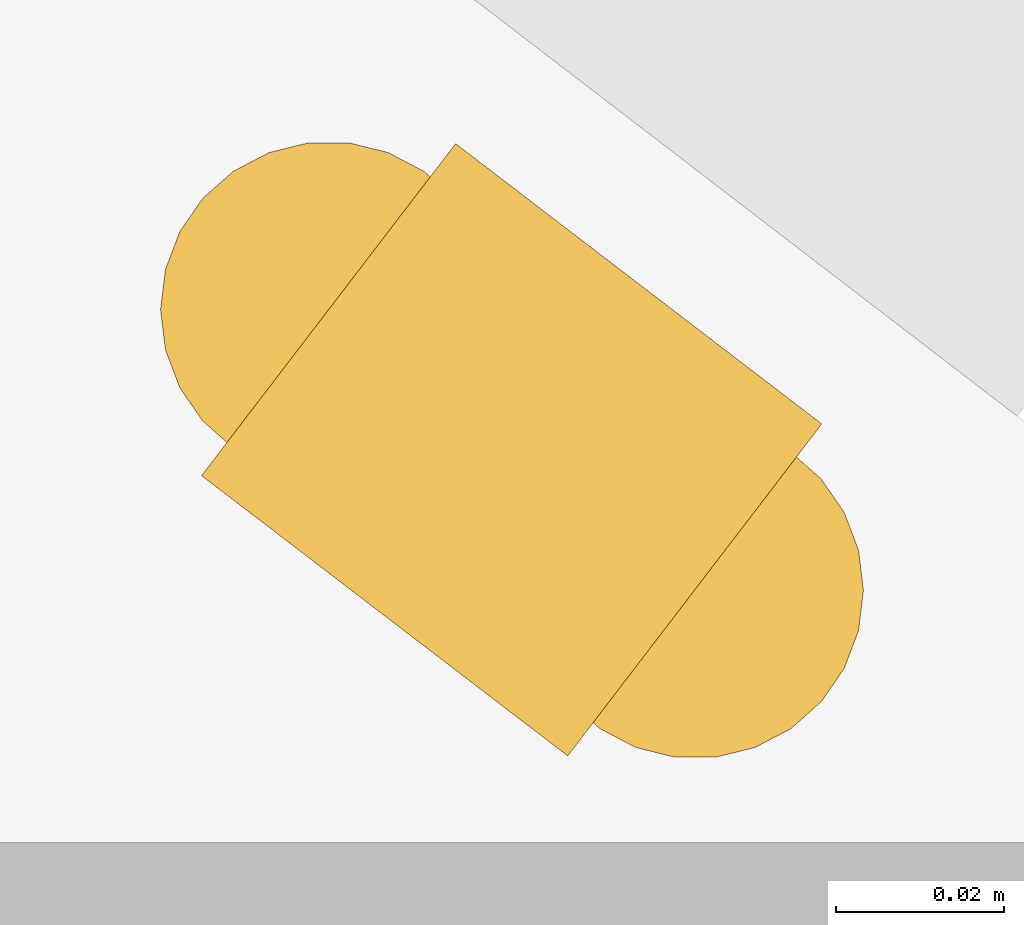
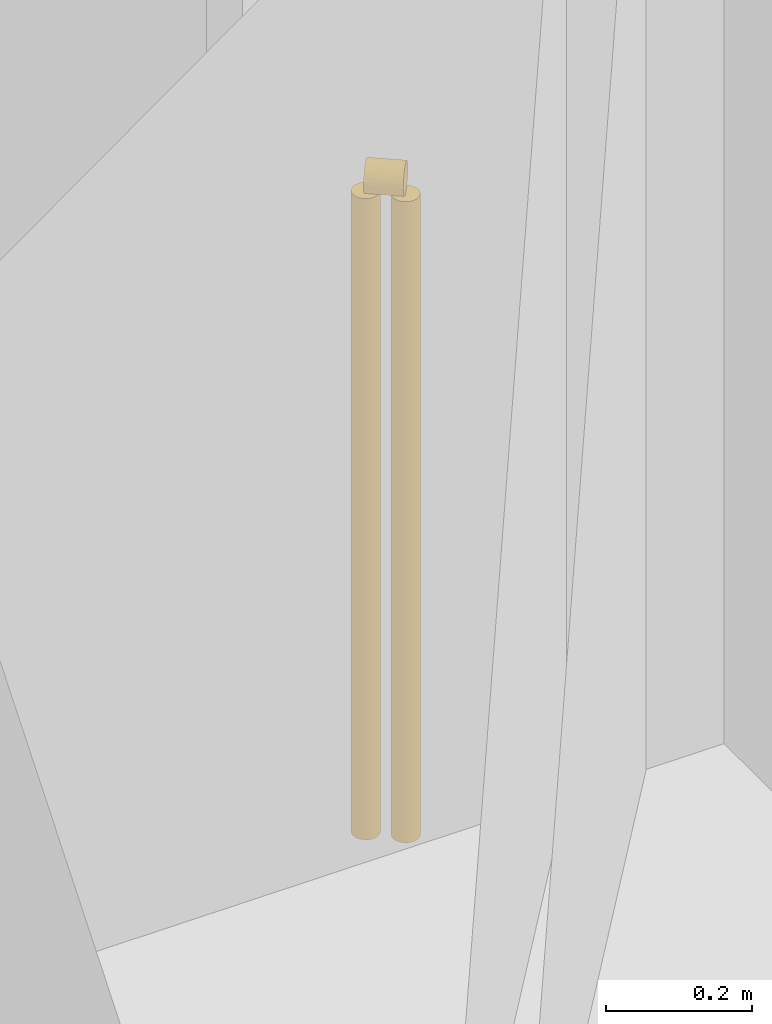
# One storey, part 29 of 29: 1 railing.
"""IFC4 building model written with IfcOpenShell, lengths in metres."""

from ifc_helpers import new_model, si_unit, direction, frame, origin, origin_2d, place, context, subcontext, project, spatial, circle, extrude, material, type_object, element, save


model = new_model("IFC4")

# Units and contexts
model_context = context("Model", 3, precision=1e-05, world=origin(), true_north=direction((0.0, 1.0)))
body_context = subcontext(model_context, "Body", "Model", "MODEL_VIEW")
ifc_project = project(units=[si_unit("LENGTHUNIT", "METRE"), si_unit("AREAUNIT", "SQUARE_METRE"), si_unit("VOLUMEUNIT", "CUBIC_METRE"), si_unit("PLANEANGLEUNIT", "RADIAN"), si_unit("MASSUNIT", "GRAM", prefix="KILO")], contexts=[model_context])

# Site, building, storey
site_placement = place(None, origin())
site = spatial("IfcSite", under=ifc_project, at=site_placement, CompositionType="ELEMENT")
building_placement = place(site_placement, origin())
building = spatial("IfcBuilding", under=site, at=building_placement, Name="Orlundy Tower", CompositionType="ELEMENT")
storey_placement = place(building_placement, frame((0.0, 0.0, 29.199951171875)))
storey = spatial("IfcBuildingStorey", under=building, at=storey_placement, Name="L05", CompositionType="ELEMENT", Elevation=29.199951171875)

# Railing
ifc_material = material(Name="Stainless steel bronze finish", Category="steel")
railing_type = type_object("IfcRailingType", Name="TG1 terrace guard", PredefinedType="GUARDRAIL", material=ifc_material)
railing_placement = place(storey_placement, frame((45.22509765625, -9.54345703125, 0.0)))
element("IfcRailing", 1, at=railing_placement, inside=storey, type_object=railing_type, Name="Guard TG-L05-E00", PredefinedType="GUARDRAIL", context=body_context, shape_type="SweptSolid", body=[
    extrude(circle(Radius=0.02490234375, at=origin_2d()), frame((0.0, 0.0, 1.09521484375), z_axis=(0.794105919742, -0.607779391087, 0.0), x_axis=(0.607779391087, 0.794105919742, 0.0)), (0.0, 0.0, 1.0), 0.054931640625),
    extrude(circle(Radius=0.02001953125, at=origin_2d()), origin(), (0.0, 0.0, 1.0), 1.070068359375),
    extrude(circle(Radius=0.02001953125, at=origin_2d()), frame((0.043701171875, -0.033447265625, 0.0)), (0.0, 0.0, 1.0), 1.070068359375),
])

save(model, "model.ifc")
